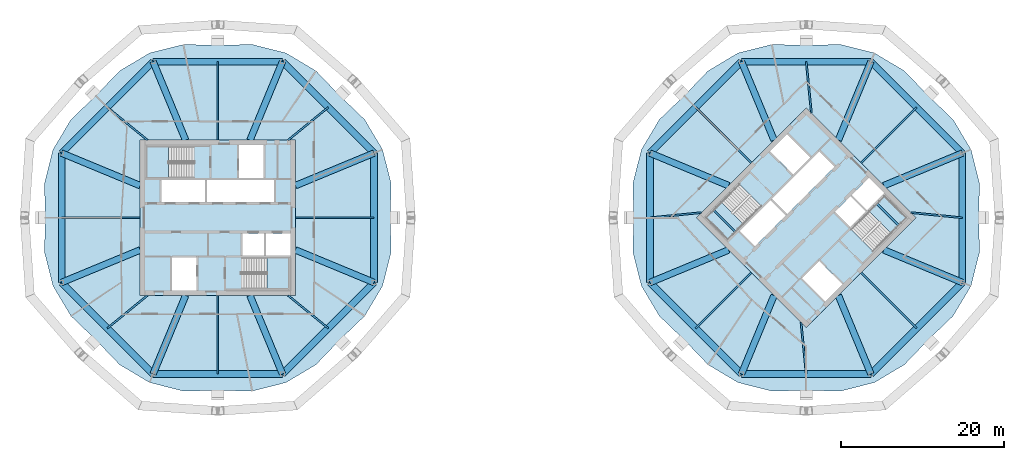
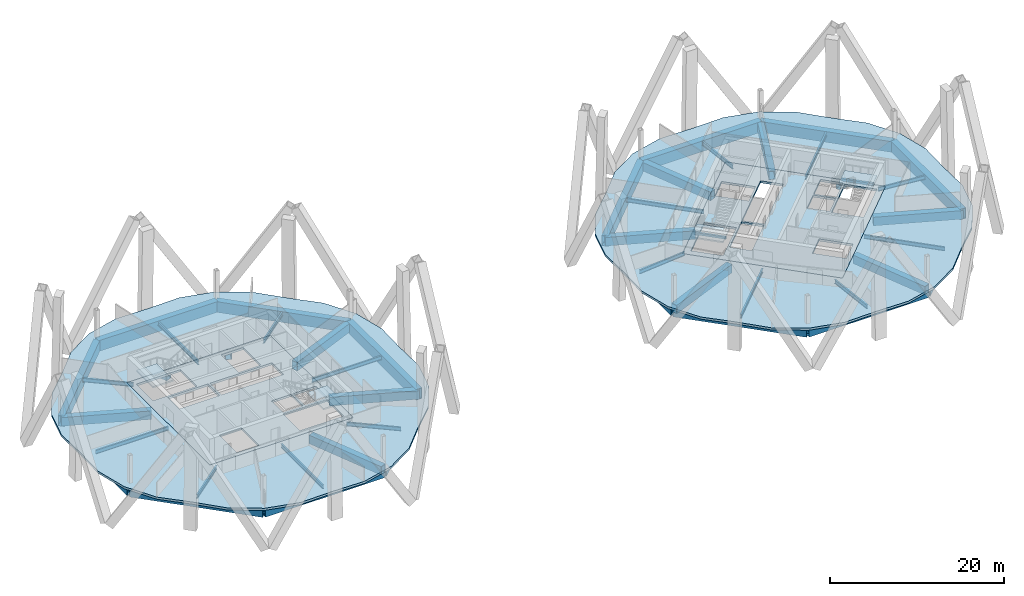
# One storey, part 3 of 10: 50 beams, 8 slabs, 4 elements without a shape of their own.
"""IFC4 building model written with IfcOpenShell, lengths in metres."""

from ifc_helpers import new_model, si_unit, direction, frame, origin, origin_2d, place, context, subcontext, project, spatial, polyline, rectangle, hollow_rectangle, i_section, outline, extrude, material, layer, layer_set, material_profile, profile_set, type_object, element, aggregate, save


model = new_model("IFC4")

# Units and contexts
model_context = context("Model", 3, precision=1e-05, world=origin(), true_north=direction((0.0, 1.0)))
body_context = subcontext(model_context, "Body", "Model", "MODEL_VIEW")
ifc_project = project(units=[si_unit("LENGTHUNIT", "METRE"), si_unit("AREAUNIT", "SQUARE_METRE"), si_unit("VOLUMEUNIT", "CUBIC_METRE"), si_unit("PLANEANGLEUNIT", "RADIAN"), si_unit("MASSUNIT", "GRAM", prefix="KILO")], contexts=[model_context])

# Site, building, storey
site_placement = place(None, origin())
site = spatial("IfcSite", under=ifc_project, at=site_placement, CompositionType="ELEMENT")
building_placement = place(site_placement, origin())
building = spatial("IfcBuilding", under=site, at=building_placement, Name="Ogive Gate Towers", CompositionType="ELEMENT")
storey_placement = place(building_placement, frame((0.0, 0.0, 204.60009765625)))
storey = spatial("IfcBuildingStorey", under=building, at=storey_placement, Name="L49", CompositionType="ELEMENT", Elevation=204.60009765625)

# Beams
ifc_material_1 = material(Name="Steel SM460", Category="steel")
ifc_material_profile_1 = material_profile(ifc_material_1, hollow_rectangle(XDim=0.800048828125, YDim=1.5, WallThickness=0.06005859375, at=origin_2d()), Name="BX 1500x800x60")
ifc_profile_set_1 = profile_set([ifc_material_profile_1], Name="Steel SM460")
beam_type_1 = type_object("IfcBeamType", Name="Edge girder BX 1500x800x60", PredefinedType="BEAM", material=ifc_profile_set_1)
beam_1_placement = place(storey_placement, frame((-55.114990234375, -7.917724609375, -1.050048828125), z_axis=(0.707106781187, -0.707106781187, 0.0), x_axis=(0.707106781187, 0.707106781187, 0.0)))
element("IfcBeam", 1, at=beam_1_placement, inside=storey, type_object=beam_type_1, Name="T1/L49/SBM017", PredefinedType="BEAM", context=body_context, shape_type="SweptSolid", body=[
    extrude(hollow_rectangle(XDim=0.800048828125, YDim=1.5, WallThickness=0.06005859375, at=origin_2d()), origin(), (0.0, 0.0, 1.0), 15.835205078125),
])
beam_2_placement = place(storey_placement, frame((-43.917724609375, -19.114990234375, -1.050048828125), z_axis=(1.0, 0.0, 0.0), x_axis=(0.0, 1.0, 0.0)))
element("IfcBeam", 2, at=beam_2_placement, inside=storey, type_object=beam_type_1, Name="T1/L49/SBM018", PredefinedType="BEAM", context=body_context, shape_type="SweptSolid", body=[
    extrude(hollow_rectangle(XDim=0.800048828125, YDim=1.5, WallThickness=0.06005859375, at=origin_2d()), origin(), (0.0, 0.0, 1.0), 15.83544921875),
])
beam_3_placement = place(storey_placement, frame((-28.082275390625, -19.114990234375, -1.050048828125), z_axis=(0.707106781187, 0.707106781187, 0.0), x_axis=(-0.707106781187, 0.707106781187, 0.0)))
element("IfcBeam", 3, at=beam_3_placement, inside=storey, type_object=beam_type_1, Name="T1/L49/SBM019", PredefinedType="BEAM", context=body_context, shape_type="SweptSolid", body=[
    extrude(hollow_rectangle(XDim=0.800048828125, YDim=1.5, WallThickness=0.06005859375, at=origin_2d()), origin(), (0.0, 0.0, 1.0), 15.835205078125),
])
beam_4_placement = place(storey_placement, frame((-16.885009765625, -7.917724609375, -1.050048828125), z_axis=(0.0, 1.0, 0.0), x_axis=(-1.0, 0.0, 0.0)))
element("IfcBeam", 4, at=beam_4_placement, inside=storey, type_object=beam_type_1, Name="T1/L49/SBM020", PredefinedType="BEAM", context=body_context, shape_type="SweptSolid", body=[
    extrude(hollow_rectangle(XDim=0.800048828125, YDim=1.5, WallThickness=0.06005859375, at=origin_2d()), origin(), (0.0, 0.0, 1.0), 15.83544921875),
])
beam_5_placement = place(storey_placement, frame((-16.885009765625, 7.917724609375, -1.050048828125), z_axis=(-0.707106781187, 0.707106781187, 0.0), x_axis=(-0.707106781187, -0.707106781187, 0.0)))
element("IfcBeam", 5, at=beam_5_placement, inside=storey, type_object=beam_type_1, Name="T1/L49/SBM021", PredefinedType="BEAM", context=body_context, shape_type="SweptSolid", body=[
    extrude(hollow_rectangle(XDim=0.800048828125, YDim=1.5, WallThickness=0.06005859375, at=origin_2d()), origin(), (0.0, 0.0, 1.0), 15.835205078125),
])
beam_6_placement = place(storey_placement, frame((-28.082275390625, 19.114990234375, -1.050048828125), z_axis=(-1.0, 0.0, 0.0), x_axis=(0.0, -1.0, 0.0)))
element("IfcBeam", 6, at=beam_6_placement, inside=storey, type_object=beam_type_1, Name="T1/L49/SBM022", PredefinedType="BEAM", context=body_context, shape_type="SweptSolid", body=[
    extrude(hollow_rectangle(XDim=0.800048828125, YDim=1.5, WallThickness=0.06005859375, at=origin_2d()), origin(), (0.0, 0.0, 1.0), 15.83544921875),
])
beam_7_placement = place(storey_placement, frame((-43.917724609375, 19.114990234375, -1.050048828125), z_axis=(-0.707106781187, -0.707106781187, 0.0), x_axis=(0.707106781187, -0.707106781187, 0.0)))
element("IfcBeam", 7, at=beam_7_placement, inside=storey, type_object=beam_type_1, Name="T1/L49/SBM023", PredefinedType="BEAM", context=body_context, shape_type="SweptSolid", body=[
    extrude(hollow_rectangle(XDim=0.800048828125, YDim=1.5, WallThickness=0.06005859375, at=origin_2d()), origin(), (0.0, 0.0, 1.0), 15.835205078125),
])
beam_8_placement = place(storey_placement, frame((-55.114990234375, 7.917724609375, -1.050048828125), z_axis=(0.0, -1.0, 0.0), x_axis=(1.0, 0.0, 0.0)))
element("IfcBeam", 8, at=beam_8_placement, inside=storey, type_object=beam_type_1, Name="T1/L49/SBM024", PredefinedType="BEAM", context=body_context, shape_type="SweptSolid", body=[
    extrude(hollow_rectangle(XDim=0.800048828125, YDim=1.5, WallThickness=0.06005859375, at=origin_2d()), origin(), (0.0, 0.0, 1.0), 15.83544921875),
])
beam_9_placement = place(storey_placement, frame((16.885009765625, -7.917724609375, -1.050048828125), z_axis=(0.707106781187, -0.707106781187, 0.0), x_axis=(0.707106781187, 0.707106781187, 0.0)))
element("IfcBeam", 9, at=beam_9_placement, inside=storey, type_object=beam_type_1, Name="T2/L49/SBM017", PredefinedType="BEAM", context=body_context, shape_type="SweptSolid", body=[
    extrude(hollow_rectangle(XDim=0.800048828125, YDim=1.5, WallThickness=0.06005859375, at=origin_2d()), origin(), (0.0, 0.0, 1.0), 15.835205078125),
])
beam_10_placement = place(storey_placement, frame((28.082275390625, -19.114990234375, -1.050048828125), z_axis=(1.0, 0.0, 0.0), x_axis=(0.0, 1.0, 0.0)))
element("IfcBeam", 10, at=beam_10_placement, inside=storey, type_object=beam_type_1, Name="T2/L49/SBM018", PredefinedType="BEAM", context=body_context, shape_type="SweptSolid", body=[
    extrude(hollow_rectangle(XDim=0.800048828125, YDim=1.5, WallThickness=0.06005859375, at=origin_2d()), origin(), (0.0, 0.0, 1.0), 15.83544921875),
])
beam_11_placement = place(storey_placement, frame((43.917724609375, -19.114990234375, -1.050048828125), z_axis=(0.707106781187, 0.707106781187, 0.0), x_axis=(-0.707106781187, 0.707106781187, 0.0)))
element("IfcBeam", 11, at=beam_11_placement, inside=storey, type_object=beam_type_1, Name="T2/L49/SBM019", PredefinedType="BEAM", context=body_context, shape_type="SweptSolid", body=[
    extrude(hollow_rectangle(XDim=0.800048828125, YDim=1.5, WallThickness=0.06005859375, at=origin_2d()), origin(), (0.0, 0.0, 1.0), 15.835205078125),
])
beam_12_placement = place(storey_placement, frame((55.114990234375, -7.917724609375, -1.050048828125), z_axis=(0.0, 1.0, 0.0), x_axis=(-1.0, 0.0, 0.0)))
element("IfcBeam", 12, at=beam_12_placement, inside=storey, type_object=beam_type_1, Name="T2/L49/SBM020", PredefinedType="BEAM", context=body_context, shape_type="SweptSolid", body=[
    extrude(hollow_rectangle(XDim=0.800048828125, YDim=1.5, WallThickness=0.06005859375, at=origin_2d()), origin(), (0.0, 0.0, 1.0), 15.83544921875),
])
beam_13_placement = place(storey_placement, frame((55.114990234375, 7.917724609375, -1.050048828125), z_axis=(-0.707106781187, 0.707106781187, 0.0), x_axis=(-0.707106781187, -0.707106781187, 0.0)))
element("IfcBeam", 13, at=beam_13_placement, inside=storey, type_object=beam_type_1, Name="T2/L49/SBM021", PredefinedType="BEAM", context=body_context, shape_type="SweptSolid", body=[
    extrude(hollow_rectangle(XDim=0.800048828125, YDim=1.5, WallThickness=0.06005859375, at=origin_2d()), origin(), (0.0, 0.0, 1.0), 15.835205078125),
])
beam_14_placement = place(storey_placement, frame((43.917724609375, 19.114990234375, -1.050048828125), z_axis=(-1.0, 0.0, 0.0), x_axis=(0.0, -1.0, 0.0)))
element("IfcBeam", 14, at=beam_14_placement, inside=storey, type_object=beam_type_1, Name="T2/L49/SBM022", PredefinedType="BEAM", context=body_context, shape_type="SweptSolid", body=[
    extrude(hollow_rectangle(XDim=0.800048828125, YDim=1.5, WallThickness=0.06005859375, at=origin_2d()), origin(), (0.0, 0.0, 1.0), 15.83544921875),
])
beam_15_placement = place(storey_placement, frame((28.082275390625, 19.114990234375, -1.050048828125), z_axis=(-0.707106781187, -0.707106781187, 0.0), x_axis=(0.707106781187, -0.707106781187, 0.0)))
element("IfcBeam", 15, at=beam_15_placement, inside=storey, type_object=beam_type_1, Name="T2/L49/SBM023", PredefinedType="BEAM", context=body_context, shape_type="SweptSolid", body=[
    extrude(hollow_rectangle(XDim=0.800048828125, YDim=1.5, WallThickness=0.06005859375, at=origin_2d()), origin(), (0.0, 0.0, 1.0), 15.835205078125),
])
beam_16_placement = place(storey_placement, frame((16.885009765625, 7.917724609375, -1.050048828125), z_axis=(0.0, -1.0, 0.0), x_axis=(1.0, 0.0, 0.0)))
element("IfcBeam", 16, at=beam_16_placement, inside=storey, type_object=beam_type_1, Name="T2/L49/SBM024", PredefinedType="BEAM", context=body_context, shape_type="SweptSolid", body=[
    extrude(hollow_rectangle(XDim=0.800048828125, YDim=1.5, WallThickness=0.06005859375, at=origin_2d()), origin(), (0.0, 0.0, 1.0), 15.83544921875),
])
ifc_material_2 = material(Name="Concrete C40/50", Category="concrete")
ifc_material_profile_2 = material_profile(ifc_material_2, rectangle(XDim=0.25, YDim=0.300048828125, at=origin_2d()), Name="RC 250x300")
ifc_profile_set_2 = profile_set([ifc_material_profile_2], Name="Concrete C40/50")
beam_type_2 = type_object("IfcBeamType", Name="Landing bearer RC 250x300", PredefinedType="BEAM", material=ifc_profile_set_2)
for number, where, z_axis, x_axis, name in (
    (17, (24.650390625, 0.9541015625, 1.599853515625), (0.707106781187, -0.707106781187, 0.0), (0.707106781187, 0.707106781187, 0.0), "T2 L49 stair 1 landing bearer 1"),
    (18, (47.349609375, -0.9541015625, 1.599853515625), (-0.707106781187, 0.707106781187, 0.0), (-0.707106781187, -0.707106781187, 0.0), "T2 L49 stair 2 landing bearer 1"),
):
    element("IfcBeam", number, at=place(storey_placement, frame(where, z_axis=z_axis, x_axis=x_axis)), inside=storey, type_object=beam_type_2, Name=name, PredefinedType="BEAM", context=body_context, shape_type="SweptSolid", body=[
        extrude(rectangle(XDim=0.25, YDim=0.300048828125, at=origin_2d()), origin(), (0.0, 0.0, 1.0), 3.824951171875),
    ])
ifc_material_3 = material(Name="Steel SM355", Category="steel")
ifc_material_profile_3 = material_profile(ifc_material_3, i_section(OverallWidth=0.2099609375, OverallDepth=0.550048828125, WebThickness=0.010986328125, FlangeThickness=0.01708984375, FilletRadius=0.02392578125, at=origin_2d()), Name="IPE 550")
ifc_profile_set_3 = profile_set([ifc_material_profile_3], Name="Steel SM355")
beam_type_3 = type_object("IfcBeamType", Name="Radial floor beam IPE 550", PredefinedType="BEAM", material=ifc_profile_set_3)
beam_17_placement = place(storey_placement, frame((-44.60009765625, -9.5, -0.5751953125), z_axis=(-0.77442315148, -0.632667987535, 0.0), x_axis=(0.632667987535, -0.77442315148, 0.0)))
element("IfcBeam", 19, at=beam_17_placement, inside=storey, type_object=beam_type_3, Name="T1/L49/SBM002", PredefinedType="BEAM", context=body_context, shape_type="SweptSolid", body=[
    extrude(i_section(OverallWidth=0.2099609375, OverallDepth=0.550048828125, WebThickness=0.010986328125, FlangeThickness=0.01708984375, FilletRadius=0.02392578125, at=origin_2d()), origin(), (0.0, 0.0, 1.0), 6.348388671875),
])
beam_18_placement = place(storey_placement, frame((-36.0, -9.5, -0.5751953125), z_axis=(0.0, -1.0, 0.0), x_axis=(1.0, 0.0, 0.0)))
element("IfcBeam", 20, at=beam_18_placement, inside=storey, type_object=beam_type_3, Name="T1/L49/SBM004", PredefinedType="BEAM", context=body_context, shape_type="SweptSolid", body=[
    extrude(i_section(OverallWidth=0.2099609375, OverallDepth=0.550048828125, WebThickness=0.010986328125, FlangeThickness=0.01708984375, FilletRadius=0.02392578125, at=origin_2d()), origin(), (0.0, 0.0, 1.0), 9.614990234375),
])
beam_19_placement = place(storey_placement, frame((-27.39990234375, -9.5, -0.5751953125), z_axis=(0.77442315148, -0.632667987535, 0.0), x_axis=(0.632667987535, 0.77442315148, 0.0)))
element("IfcBeam", 21, at=beam_19_placement, inside=storey, type_object=beam_type_3, Name="T1/L49/SBM006", PredefinedType="BEAM", context=body_context, shape_type="SweptSolid", body=[
    extrude(i_section(OverallWidth=0.2099609375, OverallDepth=0.550048828125, WebThickness=0.010986328125, FlangeThickness=0.01708984375, FilletRadius=0.02392578125, at=origin_2d()), origin(), (0.0, 0.0, 1.0), 6.348388671875),
])
beam_20_placement = place(storey_placement, frame((-26.5, 0.0, -0.5751953125), z_axis=(1.0, 0.0, 0.0), x_axis=(0.0, 1.0, 0.0)))
element("IfcBeam", 22, at=beam_20_placement, inside=storey, type_object=beam_type_3, Name="T1/L49/SBM008", PredefinedType="BEAM", context=body_context, shape_type="SweptSolid", body=[
    extrude(i_section(OverallWidth=0.2099609375, OverallDepth=0.550048828125, WebThickness=0.010986328125, FlangeThickness=0.01708984375, FilletRadius=0.02392578125, at=origin_2d()), origin(), (0.0, 0.0, 1.0), 9.614990234375),
])
beam_21_placement = place(storey_placement, frame((-27.39990234375, 9.5, -0.5751953125), z_axis=(0.77442315148, 0.632667987535, 0.0), x_axis=(-0.632667987535, 0.77442315148, 0.0)))
element("IfcBeam", 23, at=beam_21_placement, inside=storey, type_object=beam_type_3, Name="T1/L49/SBM010", PredefinedType="BEAM", context=body_context, shape_type="SweptSolid", body=[
    extrude(i_section(OverallWidth=0.2099609375, OverallDepth=0.550048828125, WebThickness=0.010986328125, FlangeThickness=0.01708984375, FilletRadius=0.02392578125, at=origin_2d()), origin(), (0.0, 0.0, 1.0), 6.348388671875),
])
beam_22_placement = place(storey_placement, frame((-36.0, 9.5, -0.5751953125), z_axis=(0.0, 1.0, 0.0), x_axis=(-1.0, 0.0, 0.0)))
element("IfcBeam", 24, at=beam_22_placement, inside=storey, type_object=beam_type_3, Name="T1/L49/SBM012", PredefinedType="BEAM", context=body_context, shape_type="SweptSolid", body=[
    extrude(i_section(OverallWidth=0.2099609375, OverallDepth=0.550048828125, WebThickness=0.010986328125, FlangeThickness=0.01708984375, FilletRadius=0.02392578125, at=origin_2d()), origin(), (0.0, 0.0, 1.0), 9.614990234375),
])
beam_23_placement = place(storey_placement, frame((-44.60009765625, 9.5, -0.5751953125), z_axis=(-0.77442315148, 0.632667987535, 0.0), x_axis=(-0.632667987535, -0.77442315148, 0.0)))
element("IfcBeam", 25, at=beam_23_placement, inside=storey, type_object=beam_type_3, Name="T1/L49/SBM014", PredefinedType="BEAM", context=body_context, shape_type="SweptSolid", body=[
    extrude(i_section(OverallWidth=0.2099609375, OverallDepth=0.550048828125, WebThickness=0.010986328125, FlangeThickness=0.01708984375, FilletRadius=0.02392578125, at=origin_2d()), origin(), (0.0, 0.0, 1.0), 6.348388671875),
])
for number, where, z_axis, x_axis, name in (
    (26, (-45.5, 0.0, -0.5751953125), (-1.0, 0.0, 0.0), (0.0, -1.0, 0.0), "T1/L49/SBM016"),
    (27, (29.282470703125, -6.717529296875, -0.5751953125), (-0.707106781187, -0.707106781187, 0.0), (0.707106781187, -0.707106781187, 0.0), "T2/L49/SBM002"),
):
    element("IfcBeam", number, at=place(storey_placement, frame(where, z_axis=z_axis, x_axis=x_axis)), inside=storey, type_object=beam_type_3, Name=name, PredefinedType="BEAM", context=body_context, shape_type="SweptSolid", body=[
        extrude(i_section(OverallWidth=0.2099609375, OverallDepth=0.550048828125, WebThickness=0.010986328125, FlangeThickness=0.01708984375, FilletRadius=0.02392578125, at=origin_2d()), origin(), (0.0, 0.0, 1.0), 9.614990234375),
    ])
beam_24_placement = place(storey_placement, frame((35.363525390625, -12.798583984375, -0.5751953125), z_axis=(0.100257601488, -0.994961513499, 0.0), x_axis=(0.994961513499, 0.100257601488, 0.0)))
element("IfcBeam", 28, at=beam_24_placement, inside=storey, type_object=beam_type_3, Name="T2/L49/SBM004", PredefinedType="BEAM", context=body_context, shape_type="SweptSolid", body=[
    extrude(i_section(OverallWidth=0.2099609375, OverallDepth=0.550048828125, WebThickness=0.010986328125, FlangeThickness=0.01708984375, FilletRadius=0.02392578125, at=origin_2d()), origin(), (0.0, 0.0, 1.0), 6.348388671875),
])
beam_25_placement = place(storey_placement, frame((42.717529296875, -6.717529296875, -0.5751953125), z_axis=(0.707106781187, -0.707106781187, 0.0), x_axis=(0.707106781187, 0.707106781187, 0.0)))
element("IfcBeam", 29, at=beam_25_placement, inside=storey, type_object=beam_type_3, Name="T2/L49/SBM006", PredefinedType="BEAM", context=body_context, shape_type="SweptSolid", body=[
    extrude(i_section(OverallWidth=0.2099609375, OverallDepth=0.550048828125, WebThickness=0.010986328125, FlangeThickness=0.01708984375, FilletRadius=0.02392578125, at=origin_2d()), origin(), (0.0, 0.0, 1.0), 9.614990234375),
])
beam_26_placement = place(storey_placement, frame((48.798583984375, 0.636474609375, -0.5751953125), z_axis=(0.994961513499, -0.100257601488, 0.0), x_axis=(0.100257601488, 0.994961513499, 0.0)))
element("IfcBeam", 30, at=beam_26_placement, inside=storey, type_object=beam_type_3, Name="T2/L49/SBM008", PredefinedType="BEAM", context=body_context, shape_type="SweptSolid", body=[
    extrude(i_section(OverallWidth=0.2099609375, OverallDepth=0.550048828125, WebThickness=0.010986328125, FlangeThickness=0.01708984375, FilletRadius=0.02392578125, at=origin_2d()), origin(), (0.0, 0.0, 1.0), 6.348388671875),
])
beam_27_placement = place(storey_placement, frame((42.717529296875, 6.717529296875, -0.5751953125), z_axis=(0.707106781187, 0.707106781187, 0.0), x_axis=(-0.707106781187, 0.707106781187, 0.0)))
element("IfcBeam", 31, at=beam_27_placement, inside=storey, type_object=beam_type_3, Name="T2/L49/SBM010", PredefinedType="BEAM", context=body_context, shape_type="SweptSolid", body=[
    extrude(i_section(OverallWidth=0.2099609375, OverallDepth=0.550048828125, WebThickness=0.010986328125, FlangeThickness=0.01708984375, FilletRadius=0.02392578125, at=origin_2d()), origin(), (0.0, 0.0, 1.0), 9.614990234375),
])
beam_28_placement = place(storey_placement, frame((36.636474609375, 12.798583984375, -0.5751953125), z_axis=(-0.100257601488, 0.994961513499, 0.0), x_axis=(-0.994961513499, -0.100257601488, 0.0)))
element("IfcBeam", 32, at=beam_28_placement, inside=storey, type_object=beam_type_3, Name="T2/L49/SBM012", PredefinedType="BEAM", context=body_context, shape_type="SweptSolid", body=[
    extrude(i_section(OverallWidth=0.2099609375, OverallDepth=0.550048828125, WebThickness=0.010986328125, FlangeThickness=0.01708984375, FilletRadius=0.02392578125, at=origin_2d()), origin(), (0.0, 0.0, 1.0), 6.348388671875),
])
beam_29_placement = place(storey_placement, frame((29.282470703125, 6.717529296875, -0.5751953125), z_axis=(-0.707106781187, 0.707106781187, 0.0), x_axis=(-0.707106781187, -0.707106781187, 0.0)))
element("IfcBeam", 33, at=beam_29_placement, inside=storey, type_object=beam_type_3, Name="T2/L49/SBM014", PredefinedType="BEAM", context=body_context, shape_type="SweptSolid", body=[
    extrude(i_section(OverallWidth=0.2099609375, OverallDepth=0.550048828125, WebThickness=0.010986328125, FlangeThickness=0.01708984375, FilletRadius=0.02392578125, at=origin_2d()), origin(), (0.0, 0.0, 1.0), 9.614990234375),
])
beam_30_placement = place(storey_placement, frame((23.201416015625, 0.636474609375, -0.5751953125), z_axis=(-0.994961513499, -0.100257601488, 0.0), x_axis=(0.100257601488, -0.994961513499, 0.0)))
element("IfcBeam", 34, at=beam_30_placement, inside=storey, type_object=beam_type_3, Name="T2/L49/SBM016", PredefinedType="BEAM", context=body_context, shape_type="SweptSolid", body=[
    extrude(i_section(OverallWidth=0.2099609375, OverallDepth=0.550048828125, WebThickness=0.010986328125, FlangeThickness=0.01708984375, FilletRadius=0.02392578125, at=origin_2d()), origin(), (0.0, 0.0, 1.0), 6.348388671875),
])
ifc_material_profile_4 = material_profile(ifc_material_1, hollow_rectangle(XDim=0.800048828125, YDim=1.199951171875, WallThickness=0.050048828125, at=origin_2d()), Name="BX 1200x800x50")
ifc_profile_set_4 = profile_set([ifc_material_profile_4], Name="Steel SM460")
beam_type_4 = type_object("IfcBeamType", Name="Transfer radial beam BX 1200x800x50", PredefinedType="BEAM", material=ifc_profile_set_4)
for number, where, z_axis, x_axis, name in (
    (35, (-45.5, -3.93505859375, -0.900146484375), (-0.92387930631, -0.382683978464, 0.0), (0.382683978464, -0.92387930631, 0.0), "T1/L49/SBM001"),
    (36, (-39.93505859375, -9.5, -0.900146484375), (-0.382683978464, -0.92387930631, 0.0), (0.92387930631, -0.382683978464, 0.0), "T1/L49/SBM003"),
    (37, (-32.06494140625, -9.5, -0.900146484375), (0.382683978464, -0.92387930631, 0.0), (0.92387930631, 0.382683978464, 0.0), "T1/L49/SBM005"),
    (38, (-26.5, -3.93505859375, -0.900146484375), (0.92387930631, -0.382683978464, 0.0), (0.382683978464, 0.92387930631, 0.0), "T1/L49/SBM007"),
    (39, (-26.5, 3.93505859375, -0.900146484375), (0.92387930631, 0.382683978464, 0.0), (-0.382683978464, 0.92387930631, 0.0), "T1/L49/SBM009"),
    (40, (-32.06494140625, 9.5, -0.900146484375), (0.382683978464, 0.92387930631, 0.0), (-0.92387930631, 0.382683978464, 0.0), "T1/L49/SBM011"),
    (41, (-39.93505859375, 9.5, -0.900146484375), (-0.382683978464, 0.92387930631, 0.0), (-0.92387930631, -0.382683978464, 0.0), "T1/L49/SBM013"),
    (42, (-45.5, 3.93505859375, -0.900146484375), (-0.92387930631, 0.382683978464, 0.0), (-0.382683978464, -0.92387930631, 0.0), "T1/L49/SBM015"),
    (43, (26.5, -3.93505859375, -0.900146484375), (-0.92387930631, -0.382683978464, 0.0), (0.382683978464, -0.92387930631, 0.0), "T2/L49/SBM001"),
    (44, (32.06494140625, -9.5, -0.900146484375), (-0.382683978464, -0.92387930631, 0.0), (0.92387930631, -0.382683978464, 0.0), "T2/L49/SBM003"),
    (45, (39.93505859375, -9.5, -0.900146484375), (0.382683978464, -0.92387930631, 0.0), (0.92387930631, 0.382683978464, 0.0), "T2/L49/SBM005"),
    (46, (45.5, -3.93505859375, -0.900146484375), (0.92387930631, -0.382683978464, 0.0), (0.382683978464, 0.92387930631, 0.0), "T2/L49/SBM007"),
    (47, (45.5, 3.93505859375, -0.900146484375), (0.92387930631, 0.382683978464, 0.0), (-0.382683978464, 0.92387930631, 0.0), "T2/L49/SBM009"),
    (48, (39.93505859375, 9.5, -0.900146484375), (0.382683978464, 0.92387930631, 0.0), (-0.92387930631, 0.382683978464, 0.0), "T2/L49/SBM011"),
    (49, (32.06494140625, 9.5, -0.900146484375), (-0.382683978464, 0.92387930631, 0.0), (-0.92387930631, -0.382683978464, 0.0), "T2/L49/SBM013"),
    (50, (26.5, 3.93505859375, -0.900146484375), (-0.92387930631, 0.382683978464, 0.0), (-0.382683978464, -0.92387930631, 0.0), "T2/L49/SBM015"),
):
    element("IfcBeam", number, at=place(storey_placement, frame(where, z_axis=z_axis, x_axis=x_axis)), inside=storey, type_object=beam_type_4, Name=name, PredefinedType="BEAM", context=body_context, shape_type="SweptSolid", body=[
        extrude(hollow_rectangle(XDim=0.800048828125, YDim=1.199951171875, WallThickness=0.050048828125, at=origin_2d()), origin(), (0.0, 0.0, 1.0), 10.4072265625),
    ])

# Slabs
ifc_layer_1 = layer(ifc_material_2, 0.300048828125)
ifc_layer_set_1 = layer_set([ifc_layer_1], Name="Core slab C40/50 300 mm")
slab_type_1 = type_object("IfcSlabType", Name="Core slab C40/50 300 mm", PredefinedType="FLOOR", material=ifc_layer_set_1)
slab_1_placement = place(storey_placement, frame((0.0, 0.0, -0.300048828125)))
element("IfcSlab", 51, at=slab_1_placement, inside=storey, type_object=slab_type_1, Name="T1 L49 core slab", PredefinedType="FLOOR", context=body_context, shape_type="SweptSolid", body=[
    extrude(outline(polyline([(-45.5, -9.5), (-45.5, 9.5), (-26.5, 9.5), (-26.5, -9.5), (-45.5, -9.5)]), holes=[polyline([(-42.875, 1.949951171875), (-37.574951171875, 1.949951171875), (-37.574951171875, 4.625), (-42.875, 4.625), (-42.875, 1.949951171875)]), polyline([(-37.324951171875, 4.625), (-37.324951171875, 1.949951171875), (-29.125, 1.949951171875), (-29.125, 4.625), (-37.324951171875, 4.625)]), polyline([(-30.324951171875, -1.949951171875), (-32.97509765625, -1.949951171875), (-32.97509765625, -4.625), (-30.324951171875, -4.625), (-30.324951171875, -1.949951171875)]), polyline([(-27.10009765625, -4.625), (-27.10009765625, -1.949951171875), (-30.074951171875, -1.949951171875), (-30.074951171875, -4.625), (-27.10009765625, -4.625)]), polyline([(-33.375, 4.875), (-30.425048828125, 4.875), (-30.425048828125, 8.89990234375), (-33.375, 8.89990234375), (-33.375, 4.875)]), polyline([(-41.574951171875, -4.875), (-41.574951171875, -8.89990234375), (-38.625, -8.89990234375), (-38.625, -4.875), (-41.574951171875, -4.875)]), polyline([(-44.699951171875, 4.875), (-38.885009765625, 4.875), (-38.885009765625, 8.699951171875), (-44.699951171875, 8.699951171875), (-44.699951171875, 4.875)]), polyline([(-27.300048828125, -8.699951171875), (-27.300048828125, -4.875), (-33.114990234375, -4.875), (-33.114990234375, -8.699951171875), (-27.300048828125, -8.699951171875)])]), origin(), (0.0, 0.0, 1.0), 0.300048828125),
])
slab_2_placement = place(storey_placement, frame((0.0, 0.0, -0.300048828125)))
element("IfcSlab", 52, at=slab_2_placement, inside=storey, type_object=slab_type_1, Name="T2 L49 core slab", PredefinedType="FLOOR", context=body_context, shape_type="SweptSolid", body=[
    extrude(outline(polyline([(36.0, -13.43505859375), (22.56494140625, 0.0), (36.0, 13.43505859375), (49.43505859375, 0.0), (36.0, -13.43505859375)]), holes=[polyline([(29.759765625, -3.482421875), (33.50732421875, 0.26513671875), (31.615966796875, 2.15673828125), (27.868408203125, -1.591064453125), (29.759765625, -3.482421875)]), polyline([(31.792724609375, 2.33349609375), (33.68408203125, 0.44189453125), (39.482421875, 6.240234375), (37.591064453125, 8.131591796875), (31.792724609375, 2.33349609375)]), polyline([(41.3916015625, 2.634033203125), (39.517822265625, 0.760009765625), (41.409423828125, -1.13134765625), (43.283203125, 0.742431640625), (41.3916015625, 2.634033203125)]), polyline([(45.563720703125, 3.02294921875), (43.672119140625, 4.914306640625), (41.568603515625, 2.810791015625), (43.4599609375, 0.919189453125), (45.563720703125, 3.02294921875)]), polyline([(34.408935546875, 5.30322265625), (36.4951171875, 7.389404296875), (33.64892578125, 10.2353515625), (31.56298828125, 8.1494140625), (34.408935546875, 5.30322265625)]), polyline([(35.5048828125, -7.389404296875), (38.35107421875, -10.2353515625), (40.43701171875, -8.1494140625), (37.591064453125, -5.30322265625), (35.5048828125, -7.389404296875)]), polyline([(26.40087890625, -2.70458984375), (30.512939453125, 1.406982421875), (27.80810546875, 4.11181640625), (23.6962890625, 0.0), (26.40087890625, -2.70458984375)]), polyline([(48.3037109375, 0.0), (45.59912109375, 2.70458984375), (41.487060546875, -1.406982421875), (44.19189453125, -4.11181640625), (48.3037109375, 0.0)])]), origin(), (0.0, 0.0, 1.0), 0.300048828125),
])
ifc_material_4 = material(Name="Concrete C35/45", Category="concrete")
ifc_layer_2 = layer(ifc_material_4, 0.300048828125)
ifc_layer_set_2 = layer_set([ifc_layer_2], Name="Floor slab 300")
slab_type_2 = type_object("IfcSlabType", Name="Floor slab 300", PredefinedType="FLOOR", material=ifc_layer_set_2)
slab_3_placement = place(storey_placement, frame((0.0, 0.0, -0.300048828125)))
element("IfcSlab", 53, at=slab_3_placement, inside=storey, type_object=slab_type_2, Name="T1/L49/SSL001", PredefinedType="FLOOR", context=body_context, shape_type="SweptSolid", body=[
    extrude(outline(polyline([(-14.79541015625, -4.2177734375), (-14.8798828125, 0.0), (-14.79541015625, 4.2177734375), (-15.841064453125, 8.35009765625), (-18.023681640625, 12.011474609375), (-21.06591796875, 14.93408203125), (-23.988525390625, 17.976318359375), (-27.64990234375, 20.158935546875), (-31.7822265625, 21.20458984375), (-36.0, 21.1201171875), (-40.2177734375, 21.20458984375), (-44.35009765625, 20.158935546875), (-48.011474609375, 17.976318359375), (-50.93408203125, 14.93408203125), (-53.976318359375, 12.011474609375), (-56.158935546875, 8.35009765625), (-57.20458984375, 4.2177734375), (-57.1201171875, 0.0), (-57.20458984375, -4.2177734375), (-56.158935546875, -8.35009765625), (-53.976318359375, -12.011474609375), (-50.93408203125, -14.93408203125), (-48.011474609375, -17.976318359375), (-44.35009765625, -20.158935546875), (-40.2177734375, -21.20458984375), (-36.0, -21.1201171875), (-31.7822265625, -21.20458984375), (-27.64990234375, -20.158935546875), (-23.988525390625, -17.976318359375), (-21.06591796875, -14.93408203125), (-18.023681640625, -12.011474609375), (-15.841064453125, -8.35009765625), (-14.79541015625, -4.2177734375)]), holes=[polyline([(-26.5, -9.5), (-45.5, -9.5), (-45.5, 9.5), (-26.5, 9.5), (-26.5, -9.5)])]), origin(), (0.0, 0.0, 1.0), 0.300048828125),
])
slab_4_placement = place(storey_placement, frame((0.0, 0.0, -0.300048828125)))
element("IfcSlab", 54, at=slab_4_placement, inside=storey, type_object=slab_type_2, Name="T2/L49/SSL001", PredefinedType="FLOOR", context=body_context, shape_type="SweptSolid", body=[
    extrude(outline(polyline([(57.20458984375, -4.2177734375), (57.1201171875, 0.0), (57.20458984375, 4.2177734375), (56.158935546875, 8.35009765625), (53.976318359375, 12.011474609375), (50.93408203125, 14.93408203125), (48.011474609375, 17.976318359375), (44.35009765625, 20.158935546875), (40.2177734375, 21.20458984375), (36.0, 21.1201171875), (31.7822265625, 21.20458984375), (27.64990234375, 20.158935546875), (23.988525390625, 17.976318359375), (21.06591796875, 14.93408203125), (18.023681640625, 12.011474609375), (15.841064453125, 8.35009765625), (14.79541015625, 4.2177734375), (14.8798828125, 0.0), (14.79541015625, -4.2177734375), (15.841064453125, -8.35009765625), (18.023681640625, -12.011474609375), (21.06591796875, -14.93408203125), (23.988525390625, -17.976318359375), (27.64990234375, -20.158935546875), (31.7822265625, -21.20458984375), (36.0, -21.1201171875), (40.2177734375, -21.20458984375), (44.35009765625, -20.158935546875), (48.011474609375, -17.976318359375), (50.93408203125, -14.93408203125), (53.976318359375, -12.011474609375), (56.158935546875, -8.35009765625), (57.20458984375, -4.2177734375)]), holes=[polyline([(49.43505859375, 0.0), (36.0, -13.43505859375), (22.56494140625, 0.0), (36.0, 13.43505859375), (49.43505859375, 0.0)])]), origin(), (0.0, 0.0, 1.0), 0.300048828125),
])

# Stair, slab
stair_type = type_object("IfcStairType", Name="Escape stair 1840 wide", PredefinedType="HALF_TURN_STAIR", material=ifc_material_2)
stair_1_placement = place(storey_placement, origin())
stair_1 = element("IfcStair", 55, at=stair_1_placement, inside=storey, type_object=stair_type, Name="L49 Escape stair 1", PredefinedType="HALF_TURN_STAIR")
ifc_layer_3 = layer(ifc_material_2, 0.199951171875)
ifc_layer_set_3 = layer_set([ifc_layer_3], Name="Stair landing 200 mm")
slab_type_3 = type_object("IfcSlabType", Name="Stair landing 200 mm", PredefinedType="LANDING", material=ifc_layer_set_3)
slab_5_placement = place(storey_placement, frame((0.0, 0.0, 1.75)))
slab_5 = element("IfcSlab", 56, at=slab_5_placement, type_object=slab_type_3, Name="ST1 landing 1", PredefinedType="LANDING", context=body_context, shape_type="SweptSolid", body=[
    extrude(outline(polyline([(-42.00146484375, 8.699951171875), (-44.699951171875, 8.699951171875), (-44.699951171875, 4.875), (-42.00146484375, 4.875), (-42.00146484375, 8.699951171875)])), origin(), (0.0, 0.0, 1.0), 0.199951171875),
])
aggregate(stair_1, [slab_5])

stair_2_placement = place(storey_placement, origin())
stair_2 = element("IfcStair", 57, at=stair_2_placement, inside=storey, type_object=stair_type, Name="L49 Escape stair 2", PredefinedType="HALF_TURN_STAIR")
slab_6_placement = place(storey_placement, frame((0.0, 0.0, 1.75)))
slab_6 = element("IfcSlab", 58, at=slab_6_placement, type_object=slab_type_3, Name="ST2 landing 1", PredefinedType="LANDING", context=body_context, shape_type="SweptSolid", body=[
    extrude(outline(polyline([(-29.99853515625, -8.699951171875), (-27.300048828125, -8.699951171875), (-27.300048828125, -4.875), (-29.99853515625, -4.875), (-29.99853515625, -8.699951171875)])), origin(), (0.0, 0.0, 1.0), 0.199951171875),
])
aggregate(stair_2, [slab_6])

stair_3_placement = place(storey_placement, origin())
stair_3 = element("IfcStair", 59, at=stair_3_placement, inside=storey, type_object=stair_type, Name="L49 Escape stair 1", PredefinedType="HALF_TURN_STAIR")
slab_7_placement = place(storey_placement, frame((0.0, 0.0, 1.75)))
slab_7 = element("IfcSlab", 60, at=slab_7_placement, type_object=slab_type_3, Name="ST1 landing 1", PredefinedType="LANDING", context=body_context, shape_type="SweptSolid", body=[
    extrude(outline(polyline([(25.6044921875, 1.908203125), (23.6962890625, 0.0), (26.401123046875, -2.70458984375), (28.309326171875, -0.79638671875), (25.6044921875, 1.908203125)])), origin(), (0.0, 0.0, 1.0), 0.199951171875),
])
aggregate(stair_3, [slab_7])

stair_4_placement = place(storey_placement, origin())
stair_4 = element("IfcStair", 61, at=stair_4_placement, inside=storey, type_object=stair_type, Name="L49 Escape stair 2", PredefinedType="HALF_TURN_STAIR")
slab_8_placement = place(storey_placement, frame((0.0, 0.0, 1.75)))
slab_8 = element("IfcSlab", 62, at=slab_8_placement, type_object=slab_type_3, Name="ST2 landing 1", PredefinedType="LANDING", context=body_context, shape_type="SweptSolid", body=[
    extrude(outline(polyline([(46.3955078125, -1.908203125), (48.3037109375, 0.0), (45.598876953125, 2.70458984375), (43.690673828125, 0.79638671875), (46.3955078125, -1.908203125)])), origin(), (0.0, 0.0, 1.0), 0.199951171875),
])
aggregate(stair_4, [slab_8])

save(model, "model.ifc")
